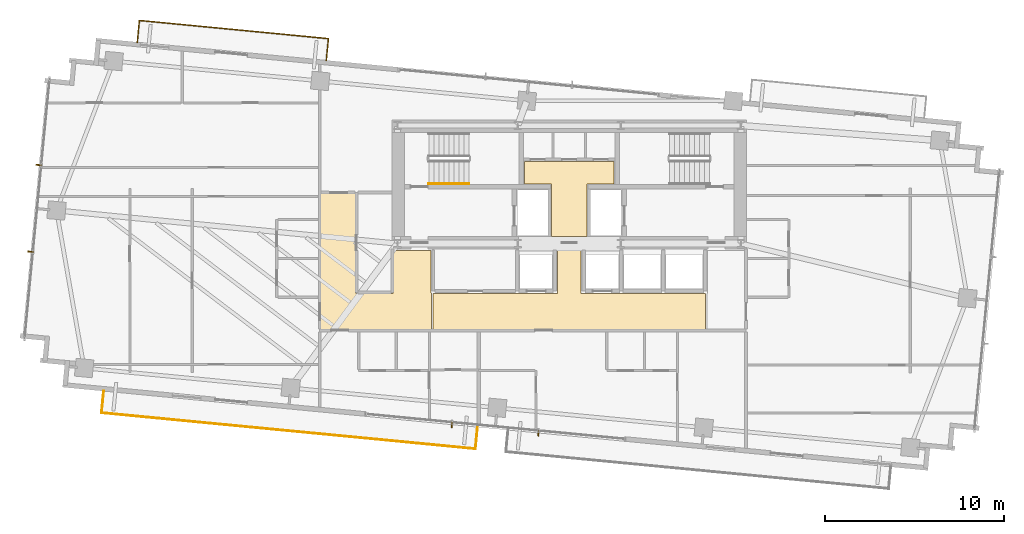
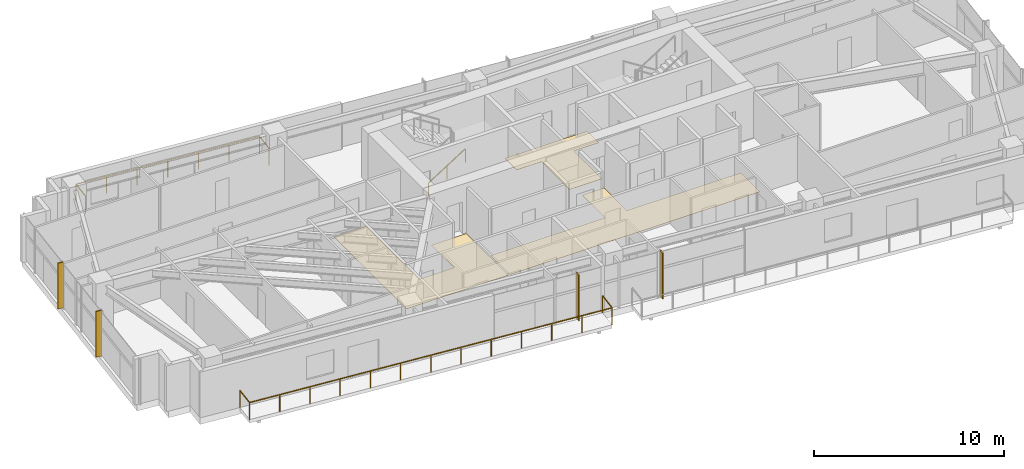
# One storey, part 18 of 19: 4 shading devices, 3 coverings, 3 railings.
"""IFC4 building model written with IfcOpenShell, lengths in metres."""

from ifc_helpers import new_model, si_unit, direction, frame, origin, origin_2d, place, context, subcontext, project, spatial, polyline, rectangle, outline, extrude, source, transform, mapped, material, layer, layer_set, type_object, type_shapes, element, save


model = new_model("IFC4")

# Units and contexts
model_context = context("Model", 3, precision=1e-05, world=origin(), true_north=direction((0.0, 1.0)))
body_context = subcontext(model_context, "Body", "Model", "MODEL_VIEW")
ifc_project = project(units=[si_unit("LENGTHUNIT", "METRE"), si_unit("AREAUNIT", "SQUARE_METRE"), si_unit("VOLUMEUNIT", "CUBIC_METRE"), si_unit("PLANEANGLEUNIT", "RADIAN"), si_unit("MASSUNIT", "GRAM", prefix="KILO")], contexts=[model_context])

# Site, building, storey
site_placement = place(None, origin())
site = spatial("IfcSite", under=ifc_project, at=site_placement, CompositionType="ELEMENT")
building_placement = place(site_placement, origin())
building = spatial("IfcBuilding", under=site, at=building_placement, Name="Astriad Promenade Condominiums", CompositionType="ELEMENT")
storey_placement = place(building_placement, frame((0.0, 0.0, 124.60009765625)))
storey = spatial("IfcBuildingStorey", under=building, at=storey_placement, Name="L35", CompositionType="ELEMENT", Elevation=124.60009765625)

# Coverings
ifc_material_1 = material(Name="Polished Lakefront Terrazzo Flooring")
ifc_layer = layer(ifc_material_1, 0.02001953125)
ifc_layer_set = layer_set([ifc_layer], Name="Polished Lakefront Terrazzo Flooring")
covering_type = type_object("IfcCoveringType", Name="COV-FLOR-TERRAZZO-20", PredefinedType="FLOORING", material=ifc_layer_set)
covering_1_placement = place(storey_placement, origin())
element("IfcCovering", 1, at=covering_1_placement, inside=storey, type_object=covering_type, Name="FLR-L35-CSL", PredefinedType="FLOORING", context=body_context, shape_type="SweptSolid", body=[
    extrude(outline(polyline([(36.97998046875, 20.699951171875), (36.97998046875, 17.7900390625), (35.02001953125, 17.7900390625), (35.02001953125, 20.699951171875), (35.019775390625, 20.703857421875), (35.019287109375, 20.707763671875), (35.018310546875, 20.711669921875), (35.01708984375, 20.71533203125), (35.015380859375, 20.718994140625), (35.01318359375, 20.72216796875), (35.010986328125, 20.725341796875), (35.00830078125, 20.728271484375), (35.00537109375, 20.73095703125), (35.002197265625, 20.7333984375), (34.998779296875, 20.7353515625), (34.995361328125, 20.737060546875), (34.99169921875, 20.73828125), (34.98779296875, 20.7392578125), (34.98388671875, 20.73974609375), (34.97998046875, 20.739990234375), (33.5, 20.739990234375), (33.5, 21.97998046875), (38.5, 21.97998046875), (38.5, 20.739990234375), (37.02001953125, 20.739990234375), (37.01611328125, 20.73974609375), (37.01220703125, 20.7392578125), (37.00830078125, 20.73828125), (37.004638671875, 20.737060546875), (37.001220703125, 20.7353515625), (36.997802734375, 20.7333984375), (36.99462890625, 20.73095703125), (36.99169921875, 20.728271484375), (36.989013671875, 20.725341796875), (36.98681640625, 20.72216796875), (36.984619140625, 20.718994140625), (36.98291015625, 20.71533203125), (36.981689453125, 20.711669921875), (36.980712890625, 20.707763671875), (36.980224609375, 20.703857421875), (36.97998046875, 20.699951171875)])), origin(), (0.0, 0.0, 1.0), 0.02001953125),
])
covering_2_placement = place(storey_placement, origin())
element("IfcCovering", 2, at=covering_2_placement, inside=storey, type_object=covering_type, Name="FLR-L35-LLB", PredefinedType="FLOORING", context=body_context, shape_type="SweptSolid", body=[
    extrude(outline(polyline([(32.9736328125, 14.6201171875), (32.974609375, 14.619140625), (32.977783203125, 14.61669921875), (32.981201171875, 14.61474609375), (32.984619140625, 14.613037109375), (32.98828125, 14.61181640625), (32.9921875, 14.61083984375), (32.99609375, 14.610107421875), (33.0, 14.610107421875), (35.300048828125, 14.610107421875), (35.303955078125, 14.610107421875), (35.307861328125, 14.61083984375), (35.3115234375, 14.61181640625), (35.315185546875, 14.613037109375), (35.31884765625, 14.61474609375), (35.322265625, 14.61669921875), (35.325439453125, 14.619140625), (35.328369140625, 14.62158203125), (35.330810546875, 14.62451171875), (35.333251953125, 14.627685546875), (35.335205078125, 14.631103515625), (35.3369140625, 14.634765625), (35.33837890625, 14.638427734375), (35.339111328125, 14.64208984375), (35.33984375, 14.64599609375), (35.340087890625, 14.64990234375), (35.340087890625, 17.010009765625), (36.659912109375, 17.010009765625), (36.659912109375, 14.64990234375), (36.66015625, 14.64599609375), (36.660888671875, 14.64208984375), (36.66162109375, 14.638427734375), (36.6630859375, 14.634765625), (36.664794921875, 14.631103515625), (36.666748046875, 14.627685546875), (36.669189453125, 14.62451171875), (36.671630859375, 14.62158203125), (36.674560546875, 14.619140625), (36.677734375, 14.61669921875), (36.68115234375, 14.61474609375), (36.684814453125, 14.613037109375), (36.6884765625, 14.61181640625), (36.692138671875, 14.61083984375), (36.696044921875, 14.610107421875), (36.699951171875, 14.610107421875), (43.610107421875, 14.610107421875), (43.610107421875, 12.590087890625), (28.389892578125, 12.590087890625), (28.389892578125, 14.6201171875), (32.9736328125, 14.6201171875)])), origin(), (0.0, 0.0, 1.0), 0.02001953125),
])
covering_3_placement = place(storey_placement, origin())
element("IfcCovering", 3, at=covering_3_placement, inside=storey, type_object=covering_type, Name="FLR-L35-COR-2", PredefinedType="FLOORING", context=body_context, shape_type="SweptSolid", body=[
    extrude(outline(polyline([(28.300048828125, 12.590087890625), (22.090087890625, 12.590087890625), (22.090087890625, 20.2099609375), (24.06005859375, 20.2099609375), (24.06005859375, 14.659912109375), (24.060302734375, 14.656005859375), (24.060791015625, 14.652099609375), (24.061767578125, 14.6484375), (24.06298828125, 14.644775390625), (24.064697265625, 14.64111328125), (24.066650390625, 14.6376953125), (24.069091796875, 14.634521484375), (24.07177734375, 14.631591796875), (24.07470703125, 14.629150390625), (24.077880859375, 14.626708984375), (24.0810546875, 14.624755859375), (24.084716796875, 14.623046875), (24.08837890625, 14.62158203125), (24.09228515625, 14.620849609375), (24.09619140625, 14.6201171875), (24.10009765625, 14.6201171875), (26.1201171875, 14.6201171875), (26.123779296875, 14.6201171875), (26.127685546875, 14.620849609375), (26.131591796875, 14.62158203125), (26.13525390625, 14.623046875), (26.138916015625, 14.624755859375), (26.14208984375, 14.626708984375), (26.1455078125, 14.629150390625), (26.148193359375, 14.631591796875), (26.15087890625, 14.634521484375), (26.1533203125, 14.6376953125), (26.1552734375, 14.64111328125), (26.156982421875, 14.644775390625), (26.158203125, 14.6484375), (26.1591796875, 14.652099609375), (26.159912109375, 14.656005859375), (26.159912109375, 14.659912109375), (26.159912109375, 17.010009765625), (28.280029296875, 17.010009765625), (28.280029296875, 14.659912109375), (28.2802734375, 14.656005859375), (28.28076171875, 14.652099609375), (28.28173828125, 14.6484375), (28.282958984375, 14.644775390625), (28.28466796875, 14.64111328125), (28.28662109375, 14.6376953125), (28.2890625, 14.634521484375), (28.291748046875, 14.631591796875), (28.294677734375, 14.629150390625), (28.2978515625, 14.626708984375), (28.300048828125, 14.62548828125), (28.300048828125, 12.590087890625)])), origin(), (0.0, 0.0, 1.0), 0.02001953125),
])

# Shading devices
ifc_material_2 = material(Name="Anodised aluminium 6063-T6 Black Fin", Category="aluminium")
shading_device_type = type_object("IfcShadingDeviceType", Name="FIN-BLACK-260", PredefinedType="USERDEFINED", material=ifc_material_2)
shared_shape_1 = source(origin(), body_context, "Body", "SweptSolid", [
    extrude(rectangle(XDim=0.06494140625, YDim=0.320068359375, at=origin_2d()), origin(), (0.0, 0.0, 1.0), 2.93994140625),
])
type_shapes(shading_device_type, [shared_shape_1])
for number, where, z_axis, x_axis, name in (
    (4, (5.880126953125, 16.947509765625, 0.0), (0.0, 0.0, 1.0), (0.09584575252, 0.995396198367, 0.0), "CW-L35-W-FIN-01"),
    (5, (6.3466796875, 21.791748046875, 0.0), (0.0, 0.0, 1.0), (0.09584575252, 0.995396198367, 0.0), "CW-L35-W-FIN-02"),
    (6, (34.278564453125, 6.80224609375, 0.0), (0.0, 0.0, 1.0), (-0.995396198367, 0.09584575252, 0.0), "CW-L35-S-FIN-01"),
    (7, (29.44091796875, 7.26806640625, 0.0), (0.0, 0.0, 1.0), (-0.995396198367, 0.09584575252, 0.0), "CW-L35-S-FIN-02"),
):
    element("IfcShadingDevice", number, at=place(storey_placement, frame(where, z_axis=z_axis, x_axis=x_axis)), inside=storey, type_object=shading_device_type, Name=name, ObjectType="FIN", PredefinedType="USERDEFINED", context=body_context, shape_type="MappedRepresentation", body=[
        mapped(shared_shape_1, transform((0.0, 0.0, 0.0), scale=1.0)),
    ])

# Railings
ifc_material_3 = material(Name="Laminated Glass and Stainless Steel Balustrade", Category="steel")
railing_type_1 = type_object("IfcRailingType", Name="GRD-BALC-1120", PredefinedType="BALUSTRADE", material=ifc_material_3)
shared_shape_2 = source(origin(), body_context, "Body", "SweptSolid", [
    extrude(rectangle(XDim=0.048095703125, YDim=0.048095703125, at=origin_2d()), frame((0.0, 0.0, 1.09619140625), z_axis=(-0.095857307208, -0.99539508571, 0.0), x_axis=(0.99539508571, -0.095857307208, 0.0)), (0.0, 0.0, 1.0), 1.219970703125),
    extrude(rectangle(XDim=0.048095703125, YDim=0.048095703125, at=origin_2d()), frame((-0.116943359375, -1.21435546875, 1.09619140625), z_axis=(0.99539657836, -0.095841806061, 0.0), x_axis=(0.095841806061, 0.99539657836, 0.0)), (0.0, 0.0, 1.0), 20.9951171875),
    extrude(rectangle(XDim=0.048095703125, YDim=0.048095703125, at=origin_2d()), frame((20.781494140625, -3.2265625, 1.09619140625), z_axis=(0.095857307208, 0.99539508571, 0.0), x_axis=(-0.99539508571, 0.095857307208, 0.0)), (0.0, 0.0, 1.0), 1.219970703125),
    extrude(rectangle(XDim=0.0419921875, YDim=0.0419921875, at=origin_2d()), origin(), (0.0, 0.0, 1.0), 1.072021484375),
    extrude(rectangle(XDim=0.0419921875, YDim=0.0419921875, at=origin_2d()), frame((-0.116943359375, -1.21435546875, 0.0)), (0.0, 0.0, 1.0), 1.072021484375),
    extrude(rectangle(XDim=0.0419921875, YDim=0.0419921875, at=origin_2d()), frame((1.62451171875, -1.382080078125, 0.0)), (0.0, 0.0, 1.0), 1.072021484375),
    extrude(rectangle(XDim=0.0419921875, YDim=0.0419921875, at=origin_2d()), frame((3.3662109375, -1.5498046875, 0.0)), (0.0, 0.0, 1.0), 1.072021484375),
    extrude(rectangle(XDim=0.0419921875, YDim=0.0419921875, at=origin_2d()), frame((5.107666015625, -1.71728515625, 0.0)), (0.0, 0.0, 1.0), 1.072021484375),
    extrude(rectangle(XDim=0.0419921875, YDim=0.0419921875, at=origin_2d()), frame((6.84912109375, -1.885009765625, 0.0)), (0.0, 0.0, 1.0), 1.072021484375),
    extrude(rectangle(XDim=0.0419921875, YDim=0.0419921875, at=origin_2d()), frame((8.5908203125, -2.052734375, 0.0)), (0.0, 0.0, 1.0), 1.072021484375),
    extrude(rectangle(XDim=0.0419921875, YDim=0.0419921875, at=origin_2d()), frame((10.332275390625, -2.220458984375, 0.0)), (0.0, 0.0, 1.0), 1.072021484375),
    extrude(rectangle(XDim=0.0419921875, YDim=0.0419921875, at=origin_2d()), frame((12.07373046875, -2.38818359375, 0.0)), (0.0, 0.0, 1.0), 1.072021484375),
    extrude(rectangle(XDim=0.0419921875, YDim=0.0419921875, at=origin_2d()), frame((13.8154296875, -2.555908203125, 0.0)), (0.0, 0.0, 1.0), 1.072021484375),
    extrude(rectangle(XDim=0.0419921875, YDim=0.0419921875, at=origin_2d()), frame((15.556884765625, -2.7236328125, 0.0)), (0.0, 0.0, 1.0), 1.072021484375),
    extrude(rectangle(XDim=0.0419921875, YDim=0.0419921875, at=origin_2d()), frame((17.29833984375, -2.89111328125, 0.0)), (0.0, 0.0, 1.0), 1.072021484375),
    extrude(rectangle(XDim=0.0419921875, YDim=0.0419921875, at=origin_2d()), frame((19.0400390625, -3.058837890625, 0.0)), (0.0, 0.0, 1.0), 1.072021484375),
    extrude(rectangle(XDim=0.0419921875, YDim=0.0419921875, at=origin_2d()), frame((20.781494140625, -3.2265625, 0.0)), (0.0, 0.0, 1.0), 1.072021484375),
    extrude(rectangle(XDim=0.0419921875, YDim=0.0419921875, at=origin_2d()), frame((20.8984375, -2.01220703125, 0.0)), (0.0, 0.0, 1.0), 1.072021484375),
])
railing_1_placement = place(storey_placement, frame((9.972900390625, 9.152587890625, 0.0)))
element("IfcRailing", 8, at=railing_1_placement, inside=storey, type_object=railing_type_1, Name="GRD-BALC-L35-SW", PredefinedType="BALUSTRADE", context=body_context, shape_type="MappedRepresentation", body=[
    mapped(shared_shape_2, transform((0.0, 0.0, 0.0), scale=1.0)),
])
shared_shape_3 = source(origin(), body_context, "Body", "SweptSolid", [
    extrude(rectangle(XDim=0.048095703125, YDim=0.048095703125, at=origin_2d()), frame((0.0, 0.0, 1.09619140625), z_axis=(0.095857307208, 0.99539508571, 0.0), x_axis=(-0.99539508571, 0.095857307208, 0.0)), (0.0, 0.0, 1.0), 1.219970703125),
    extrude(rectangle(XDim=0.048095703125, YDim=0.048095703125, at=origin_2d()), frame((0.116943359375, 1.21435546875, 1.09619140625), z_axis=(-0.995395834998, 0.095849526183, 0.0), x_axis=(-0.095849526183, -0.995395834998, 0.0)), (0.0, 0.0, 1.0), 10.618896484375),
    extrude(rectangle(XDim=0.048095703125, YDim=0.048095703125, at=origin_2d()), frame((-10.453125, 2.232177734375, 1.09619140625), z_axis=(-0.095857307208, -0.99539508571, 0.0), x_axis=(0.99539508571, -0.095857307208, 0.0)), (0.0, 0.0, 1.0), 1.219970703125),
    extrude(rectangle(XDim=0.0419921875, YDim=0.0419921875, at=origin_2d()), origin(), (0.0, 0.0, 1.0), 1.072021484375),
    extrude(rectangle(XDim=0.0419921875, YDim=0.0419921875, at=origin_2d()), frame((0.116943359375, 1.21435546875, 0.0)), (0.0, 0.0, 1.0), 1.072021484375),
    extrude(rectangle(XDim=0.0419921875, YDim=0.0419921875, at=origin_2d()), frame((-1.644775390625, 1.384033203125, 0.0)), (0.0, 0.0, 1.0), 1.072021484375),
    extrude(rectangle(XDim=0.0419921875, YDim=0.0419921875, at=origin_2d()), frame((-3.406494140625, 1.5537109375, 0.0)), (0.0, 0.0, 1.0), 1.072021484375),
    extrude(rectangle(XDim=0.0419921875, YDim=0.0419921875, at=origin_2d()), frame((-5.16796875, 1.72314453125, 0.0)), (0.0, 0.0, 1.0), 1.072021484375),
    extrude(rectangle(XDim=0.0419921875, YDim=0.0419921875, at=origin_2d()), frame((-6.9296875, 1.892822265625, 0.0)), (0.0, 0.0, 1.0), 1.072021484375),
    extrude(rectangle(XDim=0.0419921875, YDim=0.0419921875, at=origin_2d()), frame((-8.69140625, 2.0625, 0.0)), (0.0, 0.0, 1.0), 1.072021484375),
    extrude(rectangle(XDim=0.0419921875, YDim=0.0419921875, at=origin_2d()), frame((-10.453125, 2.232177734375, 0.0)), (0.0, 0.0, 1.0), 1.072021484375),
    extrude(rectangle(XDim=0.0419921875, YDim=0.0419921875, at=origin_2d()), frame((-10.570068359375, 1.017822265625, 0.0)), (0.0, 0.0, 1.0), 1.072021484375),
])
type_shapes(railing_type_1, [shared_shape_2, shared_shape_3])
railing_2_placement = place(storey_placement, frame((22.421630859375, 27.64453125, 0.0)))
element("IfcRailing", 9, at=railing_2_placement, inside=storey, type_object=railing_type_1, Name="GRD-BALC-L35-NW", PredefinedType="BALUSTRADE", context=body_context, shape_type="MappedRepresentation", body=[
    mapped(shared_shape_3, transform((0.0, 0.0, 0.0), scale=1.0)),
])
ifc_material_4 = material(Name="Brushed Stainless Steel Handrail", Category="steel")
railing_type_2 = type_object("IfcRailingType", Name="HRL-STAIR-920", PredefinedType="HANDRAIL", material=ifc_material_4)
shared_shape_4 = source(origin(), body_context, "Body", "SweptSolid", [
    extrude(rectangle(XDim=0.048095703125, YDim=0.048095703125, at=origin_2d()), frame((0.0, 0.0, 0.8759765625), z_axis=(0.8442293374, 0.0, 0.53598211339), x_axis=(0.0, 1.0, 0.0)), (0.0, 0.0, 1.0), 2.6533203125),
    extrude(rectangle(XDim=0.0419921875, YDim=0.0419921875, at=origin_2d()), origin(), (0.0, 0.0, 1.0), 0.851806640625),
    extrude(rectangle(XDim=0.0419921875, YDim=0.0419921875, at=origin_2d()), frame((1.1201171875, 0.0, 0.7109375)), (0.0, 0.0, 1.0), 0.851806640625),
    extrude(rectangle(XDim=0.0419921875, YDim=0.0419921875, at=origin_2d()), frame((2.239990234375, 0.0, 1.422119140625)), (0.0, 0.0, 1.0), 0.851806640625),
])
type_shapes(railing_type_2, [shared_shape_4])
railing_3_placement = place(storey_placement, frame((28.14990234375, 20.75, 0.177734375)))
element("IfcRailing", 10, at=railing_3_placement, inside=storey, type_object=railing_type_2, Name="L35 ST-1 stair handrail 1", PredefinedType="HANDRAIL", context=body_context, shape_type="MappedRepresentation", body=[
    mapped(shared_shape_4, transform((0.0, 0.0, 0.0), scale=1.0)),
])

save(model, "model.ifc")
